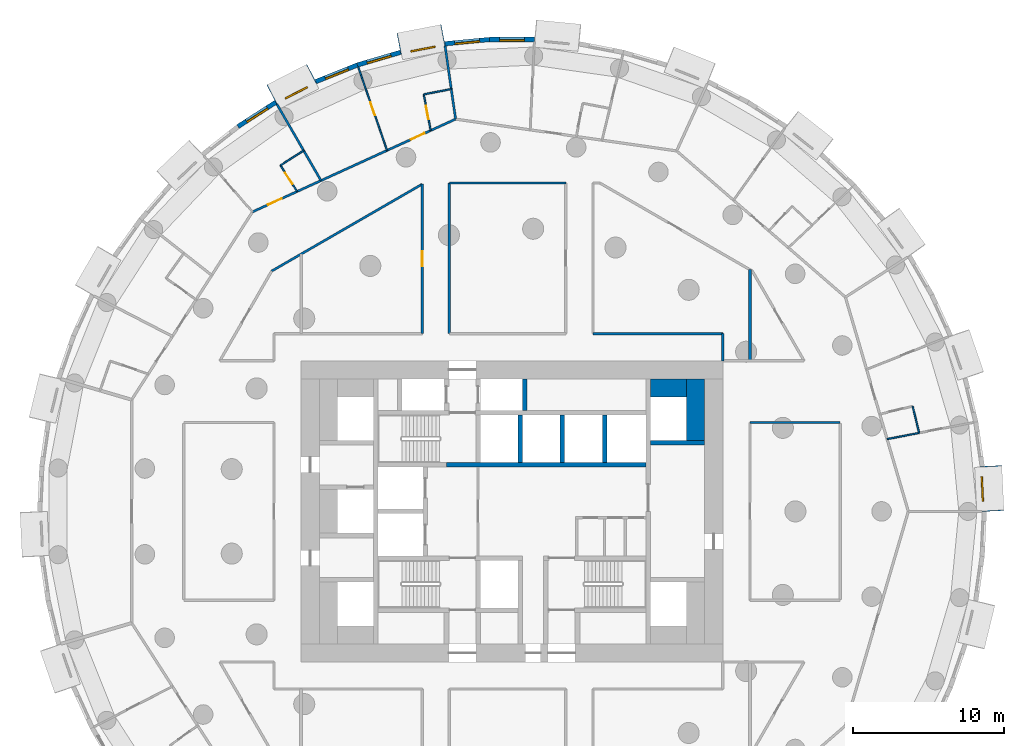
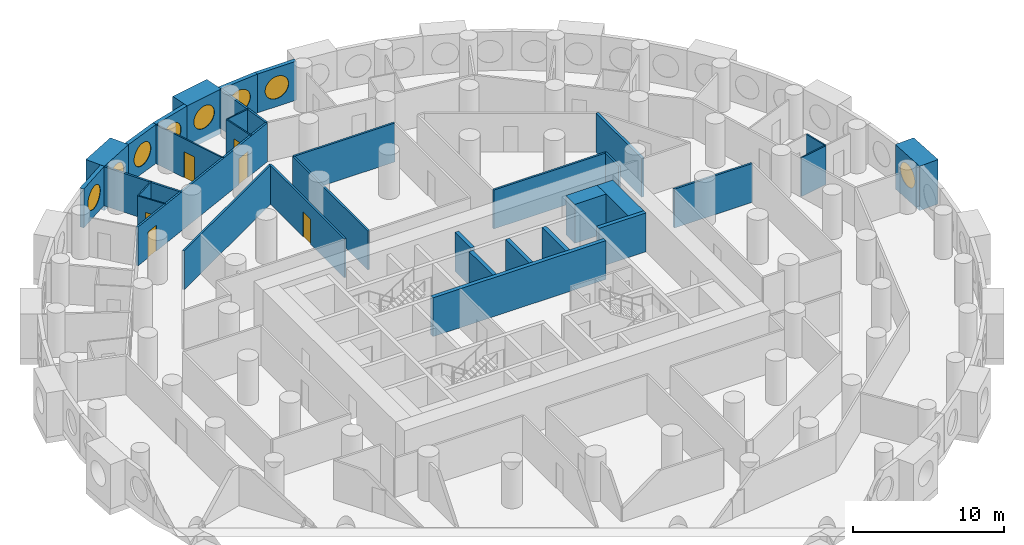
# One storey, part 8 of 12: 34 walls, 8 windows, 6 doors, 14 openings.
"""IFC4 building model written with IfcOpenShell, lengths in metres."""

import ifcopenshell
import ifcopenshell.guid

model = None  # the IFC model being written
_history = None  # IfcOwnerHistory: only IFC2X3 demands one
_inside = {}  # id of a spatial element -> (the spatial element, [elements in it])
_under = {}  # id of a project, library or spatial element -> (it, [spatial elements below it])
_declared = {}  # id of a project -> (the project, [libraries it declares])
_typed = {}  # id of a type object -> (the type object, [elements of that type])
_made_of = {}  # id of a material, layer set ... -> (it, [elements and type objects made of it])


def new_model(schema):
    """Start an empty IFC model of exactly this schema.

    Asked for "IFC4X3", IfcOpenShell would pick the latest addendum, in which some entities
    have other attributes; the version numbers below select the first issue.
    IFC2X3 requires an IfcOwnerHistory on every rooted entity: one is made here for all.
    """
    global model, _history
    if schema == "IFC4X3":
        model = ifcopenshell.file(schema_version=(4, 3, 0, 0))
    else:
        model = ifcopenshell.file(schema=schema)
    _inside.clear()
    _under.clear()
    _declared.clear()
    _typed.clear()
    _made_of.clear()
    _history = None
    if model.schema == "IFC2X3":
        org = make("IfcOrganization", Name="unknown")
        user = make(
            "IfcPersonAndOrganization",
            ThePerson=make("IfcPerson", FamilyName="unknown"),
            TheOrganization=org,
        )
        app = make(
            "IfcApplication",
            ApplicationDeveloper=org,
            Version="unknown",
            ApplicationFullName="unknown",
            ApplicationIdentifier="unknown",
        )
        _history = make(
            "IfcOwnerHistory",
            OwningUser=user,
            OwningApplication=app,
            ChangeAction="ADDED",
            CreationDate=0,
        )
    return model


def make(cls, **values):
    """One entity of the class cls with the attributes given. An attribute that is None is left unset."""
    return model.create_entity(
        cls, **{name: value for name, value in values.items() if value is not None}
    )


def rooted(cls, **values):
    """An entity with a GlobalId (a new one), such as an element, a storey or a relation."""
    return make(cls, GlobalId=ifcopenshell.guid.new(), OwnerHistory=_history, **values)


def si_unit(unit_type, name, prefix=None):
    """IfcSIUnit, for example si_unit("LENGTHUNIT", "METRE", prefix="MILLI")."""
    return make("IfcSIUnit", UnitType=unit_type, Prefix=prefix, Name=name)


def assignment(units):
    """IfcUnitAssignment: the units of a project."""
    return None if units is None else make("IfcUnitAssignment", Units=units)


def point(xyz):
    """IfcCartesianPoint."""
    return None if xyz is None else make("IfcCartesianPoint", Coordinates=xyz)


def direction(xyz):
    """IfcDirection."""
    return None if xyz is None else make("IfcDirection", DirectionRatios=xyz)


def frame(location, z_axis=None, x_axis=None):
    """IfcAxis2Placement3D, a coordinate frame: its origin and axes. An axis left out is left unset."""
    return make(
        "IfcAxis2Placement3D",
        Location=point(location),
        Axis=direction(z_axis),
        RefDirection=direction(x_axis),
    )


def frame_2d(location, x_axis=None):
    """IfcAxis2Placement2D, a coordinate frame in the plane: its origin and x axis."""
    return make(
        "IfcAxis2Placement2D", Location=point(location), RefDirection=direction(x_axis)
    )


def origin():
    """The frame at (0, 0, 0) with its axes left unset."""
    return frame((0.0, 0.0, 0.0))


def origin_2d():
    """The frame at (0, 0) in the plane with its x axis left unset."""
    return frame_2d((0.0, 0.0))


def place(relative_to, where):
    """IfcLocalPlacement: puts the frame where relative to a parent placement (None: the world)."""
    return make(
        "IfcLocalPlacement", PlacementRelTo=relative_to, RelativePlacement=where
    )


def context(
    kind, dimensions, precision=None, world=None, true_north=None, identifier=None
):
    """IfcGeometricRepresentationContext, for example the 3D "Model" context."""
    return make(
        "IfcGeometricRepresentationContext",
        ContextIdentifier=identifier,
        ContextType=kind,
        CoordinateSpaceDimension=dimensions,
        Precision=precision,
        WorldCoordinateSystem=world,
        TrueNorth=true_north,
    )


def subcontext(parent, identifier, kind, view, scale=None):
    """IfcGeometricRepresentationSubContext, for example "Body" below "Model"."""
    return make(
        "IfcGeometricRepresentationSubContext",
        ContextIdentifier=identifier,
        ContextType=kind,
        ParentContext=parent,
        TargetScale=scale,
        TargetView=view,
    )


def project(units=None, contexts=None):
    """IfcProject with its units and contexts."""
    return rooted(
        "IfcProject",
        Name="project",
        RepresentationContexts=contexts,
        UnitsInContext=assignment(units),
    )


def spatial(cls, under=None, at=None, **own):
    """A site, building, storey or space (cls), placed at a placement, below another one or the project."""
    s = rooted(cls, ObjectPlacement=at, **own)
    if under is not None:
        _under.setdefault(under.id(), (under, []))[1].append(s)
    return s


def profile(cls, at=None, kind="AREA", **sizes):
    """A parametric profile (cls). Its sizes go by their IFC names, for example OverallWidth=200.0."""
    return make(cls, ProfileType=kind, Position=at, **sizes)


def rectangle(**sizes):
    """IfcRectangleProfileDef."""
    return profile("IfcRectangleProfileDef", **sizes)


def circle(**sizes):
    """IfcCircleProfileDef."""
    return profile("IfcCircleProfileDef", **sizes)


def extrude(swept, where, along, depth):
    """IfcExtrudedAreaSolid: the profile swept, set in the frame where, extruded along a direction by depth."""
    return make(
        "IfcExtrudedAreaSolid",
        SweptArea=swept,
        Position=where,
        ExtrudedDirection=direction(along),
        Depth=depth,
    )


def shape(context_of_items, identifier, shape_type, items):
    """IfcShapeRepresentation: the items that make up one representation, for example the "Body"."""
    return make(
        "IfcShapeRepresentation",
        ContextOfItems=context_of_items,
        RepresentationIdentifier=identifier,
        RepresentationType=shape_type,
        Items=items,
    )


def material(Name=None, Category=None):
    """IfcMaterial."""
    return make("IfcMaterial", Name=Name, Category=Category)


def layer(
    of_material, thickness, ventilated=None, Name=None, Category=None, Priority=None
):
    """IfcMaterialLayer: one layer of a wall or slab, of a material (None: an air gap)."""
    return make(
        "IfcMaterialLayer",
        Material=of_material,
        LayerThickness=thickness,
        IsVentilated=ventilated,
        Name=Name,
        Category=Category,
        Priority=Priority,
    )


def layer_set(layers, Name=None):
    """IfcMaterialLayerSet."""
    return make("IfcMaterialLayerSet", MaterialLayers=layers, LayerSetName=Name)


def made_of(thing, what):
    """Note that an element or type object is made of a material, layer set ...; save() writes the relation."""
    if what is not None:
        _made_of.setdefault(what.id(), (what, []))[1].append(thing)
    return thing


def type_object(cls, material=None, **own):
    """A type object (cls), such as IfcWallType, which elements share."""
    return made_of(rooted(cls, **own), material)


def element(
    cls,
    number,
    at=None,
    inside=None,
    cuts=None,
    type_object=None,
    material=None,
    context=None,
    identifier="Body",
    shape_type=None,
    held_by="IfcProductDefinitionShape",
    body=None,
    shapes=None,
    **own,
):
    """One element of the class cls, such as IfcWall. Its Tag is "e" and its number.

    at: its placement. inside: the storey or other place that contains it. cuts: it is an
    opening in that element (IfcRelVoidsElement). A single representation is given by context,
    identifier, shape_type and body (its items); several are given by shapes. held_by: the class
    of the entity that holds the representations. save() writes the other relations.
    """
    e = rooted(cls, Tag="e%d" % number, ObjectPlacement=at, **own)
    if body is not None:
        shapes = [shape(context, identifier, shape_type, body)]
    if shapes is not None:
        e.Representation = make(held_by, Representations=shapes)
    if inside is not None:
        _inside.setdefault(inside.id(), (inside, []))[1].append(e)
    if cuts is not None:
        rooted(
            "IfcRelVoidsElement", RelatingBuildingElement=cuts, RelatedOpeningElement=e
        )
    if type_object is not None:
        _typed.setdefault(type_object.id(), (type_object, []))[1].append(e)
    return made_of(e, material)


def fill(opening, filler):
    """IfcRelFillsElement: the door or window that sits in an opening."""
    return rooted(
        "IfcRelFillsElement",
        RelatingOpeningElement=opening,
        RelatedBuildingElement=filler,
    )


def aggregate(whole, parts):
    """IfcRelAggregates: a whole, such as a stair, and the parts it consists of."""
    return rooted("IfcRelAggregates", RelatingObject=whole, RelatedObjects=parts)


def save(model, path):
    """Write the relations noted so far, then the file.

    IfcRelAggregates (storeys below a building ...), IfcRelContainedInSpatialStructure (elements
    in a storey), IfcRelDefinesByType, IfcRelAssociatesMaterial and IfcRelDeclares: one each for
    every whole, place, type object, material and project.
    """
    for whole, parts in _under.values():
        aggregate(whole, parts)
    for where, things in _inside.values():
        rooted(
            "IfcRelContainedInSpatialStructure",
            RelatedElements=things,
            RelatingStructure=where,
        )
    for kind, things in _typed.values():
        rooted("IfcRelDefinesByType", RelatedObjects=things, RelatingType=kind)
    for what, things in _made_of.values():
        rooted("IfcRelAssociatesMaterial", RelatedObjects=things, RelatingMaterial=what)
    for by, libraries in _declared.values():
        rooted("IfcRelDeclares", RelatingContext=by, RelatedDefinitions=libraries)
    model.write(path)


model = new_model("IFC4")

# Units and contexts
model_context = context("Model", 3, precision=1e-05, world=origin(), true_north=direction((0.0, 1.0)))
body_context = subcontext(model_context, "Body", "Model", "MODEL_VIEW")
ifc_project = project(units=[si_unit("LENGTHUNIT", "METRE"), si_unit("AREAUNIT", "SQUARE_METRE"), si_unit("VOLUMEUNIT", "CUBIC_METRE"), si_unit("PLANEANGLEUNIT", "RADIAN"), si_unit("MASSUNIT", "GRAM", prefix="KILO")], contexts=[model_context])

# Site, building, storey
site_placement = place(None, origin())
site = spatial("IfcSite", under=ifc_project, at=site_placement, CompositionType="ELEMENT")
building_placement = place(site_placement, origin())
building = spatial("IfcBuilding", under=site, at=building_placement, Name="Tracery Tower", CompositionType="ELEMENT")
storey_placement = place(building_placement, frame((0.0, 0.0, 82.199951171875)))
storey = spatial("IfcBuildingStorey", under=building, at=storey_placement, Name="L20", CompositionType="ELEMENT", Elevation=82.199951171875)

# Walls
ifc_material_1 = material(Name="Concrete C60/75", Category="concrete")
ifc_layer_1 = layer(ifc_material_1, 1.199951171875)
ifc_layer_set_1 = layer_set([ifc_layer_1], Name="Core strip wall 1200 C60")
wall_type_1 = type_object("IfcWallType", Name="Core strip wall 1200 C60", PredefinedType="SOLIDWALL", material=ifc_layer_set_1)
wall_1_placement = place(storey_placement, frame((12.199951171875, 4.699951171875, 0.0), z_axis=(0.0, 0.0, 1.0), x_axis=(0.0, 1.0, 0.0)))
element("IfcWall", 1, at=wall_1_placement, inside=storey, type_object=wall_type_1, Name="L20 wing strip +1 4.55", PredefinedType="SOLIDWALL", context=body_context, shape_type="SweptSolid", body=[
    extrude(rectangle(XDim=4.10009765625, YDim=1.199951171875, at=frame_2d((2.050048828125, 0.0))), origin(), (0.0, 0.0, 1.0), 3.150146484375),
])
wall_2_placement = place(storey_placement, frame((9.199951171875, 8.199951171875, 0.0), z_axis=(0.0, 0.0, 1.0), x_axis=(1.0, 0.0, 0.0)))
element("IfcWall", 2, at=wall_2_placement, inside=storey, type_object=wall_type_1, Name="L20 wing corner +1 +8.2", PredefinedType="SOLIDWALL", context=body_context, shape_type="SweptSolid", body=[
    extrude(rectangle(XDim=2.400146484375, YDim=1.199951171875, at=frame_2d((1.2001953125, 0.0))), origin(), (0.0, 0.0, 1.0), 3.150146484375),
])

# Wall, opening, window
ifc_material_2 = material(Name="Precast concrete C50/60", Category="concrete")
ifc_layer_2 = layer(ifc_material_2, 1.449951171875)
ifc_layer_set_2 = layer_set([ifc_layer_2], Name="Deep-set bay unit 3000 x 3600, slab edge 450")
wall_type_2 = type_object("IfcWallType", Name="Deep-set bay unit 3000 x 3600, slab edge 450", PredefinedType="ELEMENTEDWALL", material=ifc_layer_set_2)
wall_3_placement = place(storey_placement, frame((31.94921875, 0.020263671875, -0.449951171875), z_axis=(0.0, 0.0, 1.0), x_axis=(-0.047607680889, 0.998866111509, 0.0)))
wall_3 = element("IfcWall", 3, at=wall_3_placement, inside=storey, type_object=wall_type_2, Name="Deep-set bay unit 1 at L20", PredefinedType="ELEMENTEDWALL", context=body_context, shape_type="SweptSolid", body=[
    extrude(rectangle(XDim=3.0, YDim=1.449951171875, at=frame_2d((1.5, 0.0))), origin(), (0.0, 0.0, 1.0), 3.60009765625),
])
opening_1_placement = place(wall_3_placement, frame((1.5, 0.0, 2.0)))
opening_1 = element("IfcOpeningElement", 4, at=opening_1_placement, cuts=wall_3, Name="Opening WN1", PredefinedType="OPENING", context=body_context, shape_type="SweptSolid", body=[
    extrude(circle(Radius=0.9000244140625, at=origin_2d()), frame((0.0, 0.73486328125, 0.0), z_axis=(0.0, -1.0, 0.0), x_axis=(1.0, 0.0, 0.0)), (0.0, 0.0, 1.0), 1.469970703125),
])
ifc_material_3 = material(Name="Aluminium frame with tinted double glazing", Category="aluminium")
window_type = type_object("IfcWindowType", Name="Round window 1800", PartitioningType="SINGLE_PANEL", PredefinedType="WINDOW", material=ifc_material_3)
window_1_placement = place(opening_1_placement, origin())
window_1 = element("IfcWindow", 5, at=window_1_placement, inside=storey, type_object=window_type, Name="Round window 1 at L20", OverallHeight=1.800048828125, OverallWidth=1.800048828125, PartitioningType="SINGLE_PANEL", PredefinedType="WINDOW", context=body_context, shape_type="SweptSolid", body=[
    extrude(circle(Radius=0.9000244140625, at=origin_2d()), frame((0.0, 0.69482421875, 0.0), z_axis=(0.0, -1.0, 0.0), x_axis=(1.0, 0.0, 0.0)), (0.0, 0.0, 1.0), 0.10009765625),
])
fill(opening_1, window_1)

wall_4_placement = place(storey_placement, frame((-4.56689453125, 31.62109375, -0.449951171875), z_axis=(0.0, 0.0, 1.0), x_axis=(-0.981921602273, -0.189288052949, 0.0)))
wall_4 = element("IfcWall", 6, at=wall_4_placement, inside=storey, type_object=wall_type_2, Name="Deep-set bay unit 19 at L20", PredefinedType="ELEMENTEDWALL", context=body_context, shape_type="SweptSolid", body=[
    extrude(rectangle(XDim=3.0, YDim=1.449951171875, at=frame_2d((1.5, 0.0))), origin(), (0.0, 0.0, 1.0), 3.60009765625),
])
opening_2_placement = place(wall_4_placement, frame((1.5, 0.0, 2.0)))
opening_2 = element("IfcOpeningElement", 7, at=opening_2_placement, cuts=wall_4, Name="Opening WN1", PredefinedType="OPENING", context=body_context, shape_type="SweptSolid", body=[
    extrude(circle(Radius=0.9000244140625, at=origin_2d()), frame((0.0, 0.73486328125, 0.0), z_axis=(0.0, -1.0, 0.0), x_axis=(1.0, 0.0, 0.0)), (0.0, 0.0, 1.0), 1.469970703125),
])
window_2_placement = place(opening_2_placement, origin())
window_2 = element("IfcWindow", 8, at=window_2_placement, inside=storey, type_object=window_type, Name="Round window 19 at L20", OverallHeight=1.800048828125, OverallWidth=1.800048828125, PartitioningType="SINGLE_PANEL", PredefinedType="WINDOW", context=body_context, shape_type="SweptSolid", body=[
    extrude(circle(Radius=0.9000244140625, at=origin_2d()), frame((0.0, 0.69482421875, 0.0), z_axis=(0.0, -1.0, 0.0), x_axis=(1.0, 0.0, 0.0)), (0.0, 0.0, 1.0), 0.10009765625),
])
fill(opening_2, window_2)

wall_5_placement = place(storey_placement, frame((-13.29052734375, 29.053466796875, -0.449951171875), z_axis=(0.0, 0.0, 1.0), x_axis=(-0.888858064689, -0.458182650083, 0.0)))
wall_5 = element("IfcWall", 9, at=wall_5_placement, inside=storey, type_object=wall_type_2, Name="Deep-set bay unit 22 at L20", PredefinedType="ELEMENTEDWALL", context=body_context, shape_type="SweptSolid", body=[
    extrude(rectangle(XDim=3.0, YDim=1.449951171875, at=frame_2d((1.5, 0.0))), origin(), (0.0, 0.0, 1.0), 3.60009765625),
])
opening_3_placement = place(wall_5_placement, frame((1.5, 0.0, 2.0)))
opening_3 = element("IfcOpeningElement", 10, at=opening_3_placement, cuts=wall_5, Name="Opening WN1", PredefinedType="OPENING", context=body_context, shape_type="SweptSolid", body=[
    extrude(circle(Radius=0.9000244140625, at=origin_2d()), frame((0.0, 0.73486328125, 0.0), z_axis=(0.0, -1.0, 0.0), x_axis=(1.0, 0.0, 0.0)), (0.0, 0.0, 1.0), 1.469970703125),
])
window_3_placement = place(opening_3_placement, origin())
window_3 = element("IfcWindow", 11, at=window_3_placement, inside=storey, type_object=window_type, Name="Round window 22 at L20", OverallHeight=1.800048828125, OverallWidth=1.800048828125, PartitioningType="SINGLE_PANEL", PredefinedType="WINDOW", context=body_context, shape_type="SweptSolid", body=[
    extrude(circle(Radius=0.9000244140625, at=origin_2d()), frame((0.0, 0.69482421875, 0.0), z_axis=(0.0, -1.0, 0.0), x_axis=(1.0, 0.0, 0.0)), (0.0, 0.0, 1.0), 0.10009765625),
])
fill(opening_3, window_3)

ifc_material_4 = material(Name="Precast concrete C50/60", Category="concrete")
ifc_layer_3 = layer(ifc_material_4, 0.300048828125)
ifc_layer_set_3 = layer_set([ifc_layer_3], Name="Facade panel 3000 x 3150")
wall_type_3 = type_object("IfcWallType", Name="Facade panel 3000 x 3150", PredefinedType="SOLIDWALL", material=ifc_layer_set_3)
wall_6_placement = place(storey_placement, frame((1.48681640625, 31.3388671875, 0.0), z_axis=(0.0, 0.0, 1.0), x_axis=(-1.0, 0.0, 0.0)))
wall_6 = element("IfcWall", 12, at=wall_6_placement, inside=storey, type_object=wall_type_3, Name="Facade panel 17 at L20", PredefinedType="SOLIDWALL", context=body_context, shape_type="SweptSolid", body=[
    extrude(rectangle(XDim=2.979736328125, YDim=0.300048828125, at=frame_2d((1.48974609375, 0.0))), origin(), (0.0, 0.0, 1.0), 3.150146484375),
])
opening_4_placement = place(wall_6_placement, frame((1.48974609375, 0.0, 1.5498046875)))
opening_4 = element("IfcOpeningElement", 13, at=opening_4_placement, cuts=wall_6, Name="Opening WN1", PredefinedType="OPENING", context=body_context, shape_type="SweptSolid", body=[
    extrude(circle(Radius=0.9000244140625, at=origin_2d()), frame((0.0, 0.159912109375, 0.0), z_axis=(0.0, -1.0, 0.0), x_axis=(1.0, 0.0, 0.0)), (0.0, 0.0, 1.0), 0.320068359375),
])
window_4_placement = place(opening_4_placement, origin())
window_4 = element("IfcWindow", 14, at=window_4_placement, inside=storey, type_object=window_type, Name="Round window 17 at L20", OverallHeight=1.800048828125, OverallWidth=1.800048828125, PartitioningType="SINGLE_PANEL", PredefinedType="WINDOW", context=body_context, shape_type="SweptSolid", body=[
    extrude(circle(Radius=0.9000244140625, at=origin_2d()), frame((0.0, 0.1201171875, 0.0), z_axis=(0.0, -1.0, 0.0), x_axis=(1.0, 0.0, 0.0)), (0.0, 0.0, 1.0), 0.10009765625),
])
fill(opening_4, window_4)

wall_7_placement = place(storey_placement, frame((-1.492919921875, 31.3388671875, 0.0), z_axis=(0.0, 0.0, 1.0), x_axis=(-0.995472611385, -0.095048829468, 0.0)))
wall_7 = element("IfcWall", 15, at=wall_7_placement, inside=storey, type_object=wall_type_3, Name="Facade panel 18 at L20", PredefinedType="SOLIDWALL", context=body_context, shape_type="SweptSolid", body=[
    extrude(rectangle(XDim=2.9794921875, YDim=0.300048828125, at=frame_2d((1.48974609375, 0.0))), origin(), (0.0, 0.0, 1.0), 3.150146484375),
])
opening_5_placement = place(wall_7_placement, frame((1.48974609375, 0.0, 1.5498046875)))
opening_5 = element("IfcOpeningElement", 16, at=opening_5_placement, cuts=wall_7, Name="Opening WN1", PredefinedType="OPENING", context=body_context, shape_type="SweptSolid", body=[
    extrude(circle(Radius=0.9000244140625, at=origin_2d()), frame((0.0, 0.159912109375, 0.0), z_axis=(0.0, -1.0, 0.0), x_axis=(1.0, 0.0, 0.0)), (0.0, 0.0, 1.0), 0.320068359375),
])
window_5_placement = place(opening_5_placement, origin())
window_5 = element("IfcWindow", 17, at=window_5_placement, inside=storey, type_object=window_type, Name="Round window 18 at L20", OverallHeight=1.800048828125, OverallWidth=1.800048828125, PartitioningType="SINGLE_PANEL", PredefinedType="WINDOW", context=body_context, shape_type="SweptSolid", body=[
    extrude(circle(Radius=0.9000244140625, at=origin_2d()), frame((0.0, 0.1201171875, 0.0), z_axis=(0.0, -1.0, 0.0), x_axis=(1.0, 0.0, 0.0)), (0.0, 0.0, 1.0), 0.10009765625),
])
fill(opening_5, window_5)

wall_8_placement = place(storey_placement, frame((-7.402587890625, 30.48828125, 0.0), z_axis=(0.0, 0.0, 1.0), x_axis=(-0.959501085144, -0.281704930036, 0.0)))
wall_8 = element("IfcWall", 18, at=wall_8_placement, inside=storey, type_object=wall_type_3, Name="Facade panel 20 at L20", PredefinedType="SOLIDWALL", context=body_context, shape_type="SweptSolid", body=[
    extrude(rectangle(XDim=2.9794921875, YDim=0.300048828125, at=frame_2d((1.48974609375, 0.0))), origin(), (0.0, 0.0, 1.0), 3.150146484375),
])
opening_6_placement = place(wall_8_placement, frame((1.48974609375, 0.0, 1.5498046875)))
opening_6 = element("IfcOpeningElement", 19, at=opening_6_placement, cuts=wall_8, Name="Opening WN1", PredefinedType="OPENING", context=body_context, shape_type="SweptSolid", body=[
    extrude(circle(Radius=0.9000244140625, at=origin_2d()), frame((0.0, 0.159912109375, 0.0), z_axis=(0.0, -1.0, 0.0), x_axis=(1.0, 0.0, 0.0)), (0.0, 0.0, 1.0), 0.320068359375),
])
window_6_placement = place(opening_6_placement, origin())
window_6 = element("IfcWindow", 20, at=window_6_placement, inside=storey, type_object=window_type, Name="Round window 20 at L20", OverallHeight=1.800048828125, OverallWidth=1.800048828125, PartitioningType="SINGLE_PANEL", PredefinedType="WINDOW", context=body_context, shape_type="SweptSolid", body=[
    extrude(circle(Radius=0.9000244140625, at=origin_2d()), frame((0.0, 0.1201171875, 0.0), z_axis=(0.0, -1.0, 0.0), x_axis=(1.0, 0.0, 0.0)), (0.0, 0.0, 1.0), 0.10009765625),
])
fill(opening_6, window_6)

wall_9_placement = place(storey_placement, frame((-10.261474609375, 29.64892578125, 0.0), z_axis=(0.0, 0.0, 1.0), x_axis=(-0.928374947, -0.371644935098, 0.0)))
wall_9 = element("IfcWall", 21, at=wall_9_placement, inside=storey, type_object=wall_type_3, Name="Facade panel 21 at L20", PredefinedType="SOLIDWALL", context=body_context, shape_type="SweptSolid", body=[
    extrude(rectangle(XDim=2.979736328125, YDim=0.300048828125, at=frame_2d((1.48974609375, 0.0))), origin(), (0.0, 0.0, 1.0), 3.150146484375),
])
opening_7_placement = place(wall_9_placement, frame((1.48974609375, 0.0, 1.5498046875)))
opening_7 = element("IfcOpeningElement", 22, at=opening_7_placement, cuts=wall_9, Name="Opening WN1", PredefinedType="OPENING", context=body_context, shape_type="SweptSolid", body=[
    extrude(circle(Radius=0.9000244140625, at=origin_2d()), frame((0.0, 0.159912109375, 0.0), z_axis=(0.0, -1.0, 0.0), x_axis=(1.0, 0.0, 0.0)), (0.0, 0.0, 1.0), 0.320068359375),
])
window_7_placement = place(opening_7_placement, origin())
window_7 = element("IfcWindow", 23, at=window_7_placement, inside=storey, type_object=window_type, Name="Round window 21 at L20", OverallHeight=1.800048828125, OverallWidth=1.800048828125, PartitioningType="SINGLE_PANEL", PredefinedType="WINDOW", context=body_context, shape_type="SweptSolid", body=[
    extrude(circle(Radius=0.9000244140625, at=origin_2d()), frame((0.0, 0.1201171875, 0.0), z_axis=(0.0, -1.0, 0.0), x_axis=(1.0, 0.0, 0.0)), (0.0, 0.0, 1.0), 0.10009765625),
])
fill(opening_7, window_7)

wall_10_placement = place(storey_placement, frame((-15.6923828125, 27.167724609375, 0.0), z_axis=(0.0, 0.0, 1.0), x_axis=(-0.841260995538, -0.54062920508, 0.0)))
wall_10 = element("IfcWall", 24, at=wall_10_placement, inside=storey, type_object=wall_type_3, Name="Facade panel 23 at L20", PredefinedType="SOLIDWALL", context=body_context, shape_type="SweptSolid", body=[
    extrude(rectangle(XDim=2.9794921875, YDim=0.300048828125, at=frame_2d((1.48974609375, 0.0))), origin(), (0.0, 0.0, 1.0), 3.150146484375),
])
opening_8_placement = place(wall_10_placement, frame((1.48974609375, 0.0, 1.5498046875)))
opening_8 = element("IfcOpeningElement", 25, at=opening_8_placement, cuts=wall_10, Name="Opening WN1", PredefinedType="OPENING", context=body_context, shape_type="SweptSolid", body=[
    extrude(circle(Radius=0.9000244140625, at=origin_2d()), frame((0.0, 0.159912109375, 0.0), z_axis=(0.0, -1.0, 0.0), x_axis=(1.0, 0.0, 0.0)), (0.0, 0.0, 1.0), 0.320068359375),
])
window_8_placement = place(opening_8_placement, origin())
window_8 = element("IfcWindow", 26, at=window_8_placement, inside=storey, type_object=window_type, Name="Round window 23 at L20", OverallHeight=1.800048828125, OverallWidth=1.800048828125, PartitioningType="SINGLE_PANEL", PredefinedType="WINDOW", context=body_context, shape_type="SweptSolid", body=[
    extrude(circle(Radius=0.9000244140625, at=origin_2d()), frame((0.0, 0.1201171875, 0.0), z_axis=(0.0, -1.0, 0.0), x_axis=(1.0, 0.0, 0.0)), (0.0, 0.0, 1.0), 0.10009765625),
])
fill(opening_8, window_8)

# Wall, opening, door
ifc_material_5 = material(Name="Plasterboard on steel studs", Category="steel")
ifc_layer_4 = layer(ifc_material_5, 0.10009765625)
ifc_layer_set_4 = layer_set([ifc_layer_4], Name="Partition 100 stud")
wall_type_4 = type_object("IfcWallType", Name="Partition 100 stud", PredefinedType="PARTITIONING", material=ifc_layer_set_4)
wall_11_placement = place(storey_placement, frame((-10.2119140625, 29.507080078125, 0.0), z_axis=(0.0, 0.0, 1.0), x_axis=(0.32692444056, -0.94505048022, 0.0)))
wall_11 = element("IfcWall", 27, at=wall_11_placement, inside=storey, type_object=wall_type_4, Name="Stud partition RA6-077", PredefinedType="PARTITIONING", context=body_context, shape_type="SweptSolid", body=[
    extrude(rectangle(XDim=5.85693359375, YDim=0.10009765625, at=frame_2d((2.928466796875, 0.0))), origin(), (0.0, 0.0, 1.0), 3.150146484375),
])
opening_9_placement = place(wall_11_placement, frame((2.47900390625, 0.0, 0.0)))
opening_9 = element("IfcOpeningElement", 28, at=opening_9_placement, cuts=wall_11, Name="Opening RA6-25", PredefinedType="OPENING", context=body_context, shape_type="SweptSolid", body=[
    extrude(rectangle(XDim=0.89990234375, YDim=2.10009765625, at=frame_2d((0.449951171875, 1.050048828125))), frame((0.0, 0.050048828125, 0.0), z_axis=(0.0, -1.0, 0.0), x_axis=(1.0, 0.0, 0.0)), (0.0, 0.0, 1.0), 0.10009765625),
])
ifc_material_6 = material(Name="Timber door leaf", Category="wood")
door_type_1 = type_object("IfcDoorType", Name="Door bedroom 900", OperationType="NOTDEFINED", PredefinedType="DOOR", material=ifc_material_6)
door_1_placement = place(opening_9_placement, origin())
door_1 = element("IfcDoor", 29, at=door_1_placement, inside=storey, type_object=door_type_1, Name="Bedroom door RA6-25", OperationType="SINGLE_SWING_LEFT", OverallHeight=2.10009765625, OverallWidth=0.89990234375, PredefinedType="DOOR", context=body_context, shape_type="SweptSolid", body=[
    extrude(rectangle(XDim=0.89990234375, YDim=2.10009765625, at=frame_2d((0.449951171875, 1.050048828125))), frame((0.0, 0.02490234375, 0.0), z_axis=(0.0, -1.0, 0.0), x_axis=(1.0, 0.0, 0.0)), (0.0, 0.0, 1.0), 0.050048828125),
])
fill(opening_9, door_1)

# Walls
ifc_material_7 = material(Name="Plasterboard on steel studs", Category="steel")
ifc_layer_5 = layer(ifc_material_7, 0.10009765625)
ifc_layer_set_5 = layer_set([ifc_layer_5], Name="Partition 100 wet wall")
wall_type_5 = type_object("IfcWallType", Name="Partition 100 wet wall", PredefinedType="PARTITIONING", material=ifc_layer_set_5)
wall_12_placement = place(storey_placement, frame((26.60791015625, 6.98388671875, 0.0), z_axis=(0.0, 0.0, 1.0), x_axis=(0.235791524639, -0.971803661708, 0.0)))
element("IfcWall", 30, at=wall_12_placement, inside=storey, type_object=wall_type_5, Name="Wet wall RA6-060", PredefinedType="PARTITIONING", context=body_context, shape_type="SweptSolid", body=[
    extrude(rectangle(XDim=1.824462890625, YDim=0.10009765625, at=frame_2d((0.912109375, 0.0))), origin(), (0.0, 0.0, 1.0), 3.150146484375),
])
wall_13_placement = place(storey_placement, frame((24.908935546875, 4.801025390625, 0.0), z_axis=(0.0, 0.0, 1.0), x_axis=(0.981947880287, 0.189151686222, 0.0)))
element("IfcWall", 31, at=wall_13_placement, inside=storey, type_object=wall_type_5, Name="Wet wall RA6-062", PredefinedType="PARTITIONING", context=body_context, shape_type="SweptSolid", body=[
    extrude(rectangle(XDim=2.17236328125, YDim=0.10009765625, at=frame_2d((1.086181640625, 0.0))), origin(), (0.0, 0.0, 1.0), 3.150146484375),
])
wall_14_placement = place(storey_placement, frame((-5.861083984375, 27.694091796875, 0.0), z_axis=(0.0, 0.0, 1.0), x_axis=(0.981879093558, 0.189508431565, 0.0)))
element("IfcWall", 32, at=wall_14_placement, inside=storey, type_object=wall_type_5, Name="Wet wall RA6-078", PredefinedType="PARTITIONING", context=body_context, shape_type="SweptSolid", body=[
    extrude(rectangle(XDim=1.86279296875, YDim=0.10009765625, at=frame_2d((0.931396484375, 0.0))), origin(), (0.0, 0.0, 1.0), 3.150146484375),
])

# Wall, opening, door
wall_15_placement = place(storey_placement, frame((-5.861083984375, 27.694091796875, 0.0), z_axis=(0.0, 0.0, 1.0), x_axis=(0.189229262293, -0.981932933704, 0.0)))
wall_15 = element("IfcWall", 33, at=wall_15_placement, inside=storey, type_object=wall_type_5, Name="Wet wall RA6-079", PredefinedType="PARTITIONING", context=body_context, shape_type="SweptSolid", body=[
    extrude(rectangle(XDim=2.4423828125, YDim=0.10009765625, at=frame_2d((1.22119140625, 0.0))), origin(), (0.0, 0.0, 1.0), 3.150146484375),
])
opening_10_placement = place(wall_15_placement, frame((0.77099609375, 0.0, 0.0)))
opening_10 = element("IfcOpeningElement", 34, at=opening_10_placement, cuts=wall_15, Name="Opening RA6-26", PredefinedType="OPENING", context=body_context, shape_type="SweptSolid", body=[
    extrude(rectangle(XDim=0.89990234375, YDim=2.0, at=frame_2d((0.449951171875, 1.0))), frame((0.0, 0.050048828125, 0.0), z_axis=(0.0, -1.0, 0.0), x_axis=(1.0, 0.0, 0.0)), (0.0, 0.0, 1.0), 0.10009765625),
])
ifc_material_8 = material(Name="Timber door leaf", Category="wood")
door_type_2 = type_object("IfcDoorType", Name="Door shower room 900", OperationType="NOTDEFINED", PredefinedType="DOOR", material=ifc_material_8)
door_2_placement = place(opening_10_placement, origin())
door_2 = element("IfcDoor", 35, at=door_2_placement, inside=storey, type_object=door_type_2, Name="Shower room door RA6-26", OperationType="SINGLE_SWING_LEFT", OverallHeight=2.0, OverallWidth=0.89990234375, PredefinedType="DOOR", context=body_context, shape_type="SweptSolid", body=[
    extrude(rectangle(XDim=0.89990234375, YDim=2.0, at=frame_2d((0.449951171875, 1.0))), frame((0.0, 0.02490234375, 0.0), z_axis=(0.0, -1.0, 0.0), x_axis=(1.0, 0.0, 0.0)), (0.0, 0.0, 1.0), 0.050048828125),
])
fill(opening_10, door_2)

# Wall
wall_16_placement = place(storey_placement, frame((-15.376953125, 22.97607421875, 0.0), z_axis=(0.0, 0.0, 1.0), x_axis=(0.84118714077, 0.540744111576, 0.0)))
element("IfcWall", 36, at=wall_16_placement, inside=storey, type_object=wall_type_5, Name="Wet wall RA6-082", PredefinedType="PARTITIONING", context=body_context, shape_type="SweptSolid", body=[
    extrude(rectangle(XDim=1.830810546875, YDim=0.10009765625, at=frame_2d((0.91552734375, 0.0))), origin(), (0.0, 0.0, 1.0), 3.150146484375),
])

# Wall, opening, door
wall_17_placement = place(storey_placement, frame((-15.376953125, 22.97607421875, 0.0), z_axis=(0.0, 0.0, 1.0), x_axis=(0.54031338164, -0.841463873033, 0.0)))
wall_17 = element("IfcWall", 37, at=wall_17_placement, inside=storey, type_object=wall_type_5, Name="Wet wall RA6-083", PredefinedType="PARTITIONING", context=body_context, shape_type="SweptSolid", body=[
    extrude(rectangle(XDim=2.055908203125, YDim=0.10009765625, at=frame_2d((1.02783203125, 0.0))), origin(), (0.0, 0.0, 1.0), 3.150146484375),
])
opening_11_placement = place(wall_17_placement, frame((0.577880859375, 0.0, 0.0)))
opening_11 = element("IfcOpeningElement", 38, at=opening_11_placement, cuts=wall_17, Name="Opening RA6-29", PredefinedType="OPENING", context=body_context, shape_type="SweptSolid", body=[
    extrude(rectangle(XDim=0.89990234375, YDim=2.0, at=frame_2d((0.449951171875, 1.0))), frame((0.0, 0.050048828125, 0.0), z_axis=(0.0, -1.0, 0.0), x_axis=(1.0, 0.0, 0.0)), (0.0, 0.0, 1.0), 0.10009765625),
])
door_3_placement = place(opening_11_placement, origin())
door_3 = element("IfcDoor", 39, at=door_3_placement, inside=storey, type_object=door_type_2, Name="Shower room door RA6-29", OperationType="SINGLE_SWING_LEFT", OverallHeight=2.0, OverallWidth=0.89990234375, PredefinedType="DOOR", context=body_context, shape_type="SweptSolid", body=[
    extrude(rectangle(XDim=0.89990234375, YDim=2.0, at=frame_2d((0.449951171875, 1.0))), frame((0.0, 0.02490234375, 0.0), z_axis=(0.0, -1.0, 0.0), x_axis=(1.0, 0.0, 0.0)), (0.0, 0.0, 1.0), 0.050048828125),
])
fill(opening_11, door_3)

# Walls
ifc_material_9 = material(Name="Plasterboard on steel studs", Category="steel")
ifc_layer_6 = layer(ifc_material_9, 0.14990234375)
ifc_layer_set_6 = layer_set([ifc_layer_6], Name="Partition 150 acoustic unit wall")
wall_type_6 = type_object("IfcWallType", Name="Partition 150 acoustic unit wall", PredefinedType="PARTITIONING", material=ifc_layer_set_6)
wall_18_placement = place(storey_placement, frame((-4.444091796875, 30.906005859375, 0.0), z_axis=(0.0, 0.0, 1.0), x_axis=(0.142452592463, -0.989801626035, 0.0)))
element("IfcWall", 40, at=wall_18_placement, inside=storey, type_object=wall_type_6, Name="Unit wall RA6-076", PredefinedType="PARTITIONING", context=body_context, shape_type="SweptSolid", body=[
    extrude(rectangle(XDim=4.905029296875, YDim=0.14990234375, at=frame_2d((2.45263671875, 0.0))), origin(), (0.0, 0.0, 1.0), 3.150146484375),
])
wall_19_placement = place(storey_placement, frame((-15.612060546875, 27.041015625, 0.0), z_axis=(0.0, 0.0, 1.0), x_axis=(0.499985873194, -0.866033559746, 0.0)))
element("IfcWall", 41, at=wall_19_placement, inside=storey, type_object=wall_type_6, Name="Unit wall RA6-080", PredefinedType="PARTITIONING", context=body_context, shape_type="SweptSolid", body=[
    extrude(rectangle(XDim=5.856689453125, YDim=0.14990234375, at=frame_2d((2.92822265625, 0.0))), origin(), (0.0, 0.0, 1.0), 3.150146484375),
])
ifc_material_10 = material(Name="Plasterboard on steel studs", Category="steel")
ifc_layer_7 = layer(ifc_material_10, 0.14990234375)
ifc_layer_set_7 = layer_set([ifc_layer_7], Name="Partition 150 corridor wall")
wall_type_7 = type_object("IfcWallType", Name="Partition 150 corridor wall", PredefinedType="PARTITIONING", material=ifc_layer_set_7)
wall_20_placement = place(storey_placement, frame((5.3720703125, 11.800048828125, 0.0), z_axis=(0.0, 0.0, 1.0), x_axis=(1.0, 0.0, 0.0)))
element("IfcWall", 42, at=wall_20_placement, inside=storey, type_object=wall_type_7, Name="Corridor wall RA6-003", PredefinedType="PARTITIONING", context=body_context, shape_type="SweptSolid", body=[
    extrude(rectangle(XDim=8.6279296875, YDim=0.14990234375, at=frame_2d((4.31396484375, 0.0))), origin(), (0.0, 0.0, 1.0), 3.150146484375),
])
wall_21_placement = place(storey_placement, frame((14.0, 10.0, 0.0), z_axis=(0.0, 0.0, 1.0), x_axis=(0.0, 1.0, 0.0)))
element("IfcWall", 43, at=wall_21_placement, inside=storey, type_object=wall_type_7, Name="Corridor wall RA6-004", PredefinedType="PARTITIONING", context=body_context, shape_type="SweptSolid", body=[
    extrude(rectangle(XDim=1.800048828125, YDim=0.14990234375, at=frame_2d((0.89990234375, 0.0))), origin(), (0.0, 0.0, 1.0), 3.150146484375),
])
wall_22_placement = place(storey_placement, frame((15.800048828125, 5.89990234375, 0.0), z_axis=(0.0, 0.0, 1.0), x_axis=(1.0, 0.0, 0.0)))
element("IfcWall", 44, at=wall_22_placement, inside=storey, type_object=wall_type_7, Name="Corridor wall RA6-017", PredefinedType="PARTITIONING", context=body_context, shape_type="SweptSolid", body=[
    extrude(rectangle(XDim=5.968017578125, YDim=0.14990234375, at=frame_2d((2.98388671875, 0.0))), origin(), (0.0, 0.0, 1.0), 3.150146484375),
])

# Wall, opening, door
wall_23_placement = place(storey_placement, frame((-5.9599609375, 11.800048828125, 0.0), z_axis=(0.0, 0.0, 1.0), x_axis=(0.0, 1.0, 0.0)))
wall_23 = element("IfcWall", 45, at=wall_23_placement, inside=storey, type_object=wall_type_7, Name="Corridor wall RA6-024", PredefinedType="PARTITIONING", context=body_context, shape_type="SweptSolid", body=[
    extrude(rectangle(XDim=9.933837890625, YDim=0.14990234375, at=frame_2d((4.966796875, 0.0))), origin(), (0.0, 0.0, 1.0), 3.150146484375),
])
opening_12_placement = place(wall_23_placement, frame((4.467041015625, 0.0, 0.0)))
opening_12 = element("IfcOpeningElement", 46, at=opening_12_placement, cuts=wall_23, Name="Opening RA6-01", PredefinedType="OPENING", context=body_context, shape_type="SweptSolid", body=[
    extrude(rectangle(XDim=1.0, YDim=2.0400390625, at=frame_2d((0.5, 1.02001953125))), frame((0.0, 0.074951171875, 0.0), z_axis=(0.0, -1.0, 0.0), x_axis=(1.0, 0.0, 0.0)), (0.0, 0.0, 1.0), 0.14990234375),
])
ifc_material_11 = material(Name="Timber door leaf", Category="wood")
door_type_3 = type_object("IfcDoorType", Name="Door communal room 1000", OperationType="NOTDEFINED", PredefinedType="DOOR", material=ifc_material_11)
door_4_placement = place(opening_12_placement, origin())
door_4 = element("IfcDoor", 47, at=door_4_placement, inside=storey, type_object=door_type_3, Name="Communal room door RA6-01", OperationType="SINGLE_SWING_LEFT", OverallHeight=2.0400390625, OverallWidth=1.0, PredefinedType="DOOR", context=body_context, shape_type="SweptSolid", body=[
    extrude(rectangle(XDim=1.0, YDim=2.0400390625, at=frame_2d((0.5, 1.02001953125))), frame((0.0, 0.02490234375, 0.0), z_axis=(0.0, -1.0, 0.0), x_axis=(1.0, 0.0, 0.0)), (0.0, 0.0, 1.0), 0.050048828125),
])
fill(opening_12, door_4)

# Walls
wall_24_placement = place(storey_placement, frame((-15.960205078125, 15.960205078125, 0.0), z_axis=(0.0, 0.0, 1.0), x_axis=(0.86602397904, 0.500002467721, 0.0)))
element("IfcWall", 48, at=wall_24_placement, inside=storey, type_object=wall_type_7, Name="Corridor wall RA6-025", PredefinedType="PARTITIONING", context=body_context, shape_type="SweptSolid", body=[
    extrude(rectangle(XDim=11.54736328125, YDim=0.14990234375, at=frame_2d((5.773681640625, 0.0))), origin(), (0.0, 0.0, 1.0), 3.150146484375),
])
wall_25_placement = place(storey_placement, frame((-4.159912109375, 21.802001953125, 0.0), z_axis=(0.0, 0.0, 1.0), x_axis=(1.0, 0.0, 0.0)))
element("IfcWall", 49, at=wall_25_placement, inside=storey, type_object=wall_type_7, Name="Corridor wall RA6-027", PredefinedType="PARTITIONING", context=body_context, shape_type="SweptSolid", body=[
    extrude(rectangle(XDim=7.73583984375, YDim=0.14990234375, at=frame_2d((3.867919921875, 0.0))), origin(), (0.0, 0.0, 1.0), 3.150146484375),
])
wall_26_placement = place(storey_placement, frame((-4.159912109375, 11.800048828125, 0.0), z_axis=(0.0, 0.0, 1.0), x_axis=(0.0, 1.0, 0.0)))
element("IfcWall", 50, at=wall_26_placement, inside=storey, type_object=wall_type_7, Name="Corridor wall RA6-028", PredefinedType="PARTITIONING", context=body_context, shape_type="SweptSolid", body=[
    extrude(rectangle(XDim=10.001953125, YDim=0.14990234375, at=frame_2d((5.0009765625, 0.0))), origin(), (0.0, 0.0, 1.0), 3.150146484375),
])

# Wall, openings, doors
wall_27_placement = place(storey_placement, frame((-17.235595703125, 19.89111328125, 0.0), z_axis=(0.0, 0.0, 1.0), x_axis=(0.909645678785, 0.415385049163, 0.0)))
wall_27 = element("IfcWall", 51, at=wall_27_placement, inside=storey, type_object=wall_type_7, Name="Corridor wall RA6-033", PredefinedType="PARTITIONING", context=body_context, shape_type="SweptSolid", body=[
    extrude(rectangle(XDim=14.829345703125, YDim=0.14990234375, at=frame_2d((7.41455078125, 0.0))), origin(), (0.0, 0.0, 1.0), 3.150146484375),
])
opening_13_placement = place(wall_27_placement, frame((11.569091796875, 0.0, 0.0)))
opening_13 = element("IfcOpeningElement", 52, at=opening_13_placement, cuts=wall_27, Name="Opening RA6-27", PredefinedType="OPENING", context=body_context, shape_type="SweptSolid", body=[
    extrude(rectangle(XDim=1.0, YDim=2.10009765625, at=frame_2d((0.5, 1.050048828125))), frame((0.0, 0.074951171875, 0.0), z_axis=(0.0, -1.0, 0.0), x_axis=(1.0, 0.0, 0.0)), (0.0, 0.0, 1.0), 0.14990234375),
])
opening_14_placement = place(wall_27_placement, frame((1.134033203125, 0.0, 0.0)))
opening_14 = element("IfcOpeningElement", 53, at=opening_14_placement, cuts=wall_27, Name="Opening RA6-30", PredefinedType="OPENING", context=body_context, shape_type="SweptSolid", body=[
    extrude(rectangle(XDim=1.0, YDim=2.10009765625, at=frame_2d((0.5, 1.050048828125))), frame((0.0, 0.074951171875, 0.0), z_axis=(0.0, -1.0, 0.0), x_axis=(1.0, 0.0, 0.0)), (0.0, 0.0, 1.0), 0.14990234375),
])
ifc_material_12 = material(Name="Timber door leaf", Category="wood")
door_type_4 = type_object("IfcDoorType", Name="Door unit entrance 1000", OperationType="NOTDEFINED", PredefinedType="DOOR", material=ifc_material_12)
door_5_placement = place(opening_13_placement, origin())
door_5 = element("IfcDoor", 54, at=door_5_placement, inside=storey, type_object=door_type_4, Name="Unit entrance door RA6-27", OperationType="SINGLE_SWING_RIGHT", OverallHeight=2.10009765625, OverallWidth=1.0, PredefinedType="DOOR", context=body_context, shape_type="SweptSolid", body=[
    extrude(rectangle(XDim=1.0, YDim=2.10009765625, at=frame_2d((0.5, 1.050048828125))), frame((0.0, 0.02490234375, 0.0), z_axis=(0.0, -1.0, 0.0), x_axis=(1.0, 0.0, 0.0)), (0.0, 0.0, 1.0), 0.050048828125),
])
fill(opening_13, door_5)
door_6_placement = place(opening_14_placement, origin())
door_6 = element("IfcDoor", 55, at=door_6_placement, inside=storey, type_object=door_type_4, Name="Unit entrance door RA6-30", OperationType="SINGLE_SWING_RIGHT", OverallHeight=2.10009765625, OverallWidth=1.0, PredefinedType="DOOR", context=body_context, shape_type="SweptSolid", body=[
    extrude(rectangle(XDim=1.0, YDim=2.10009765625, at=frame_2d((0.5, 1.050048828125))), frame((0.0, 0.02490234375, 0.0), z_axis=(0.0, -1.0, 0.0), x_axis=(1.0, 0.0, 0.0)), (0.0, 0.0, 1.0), 0.050048828125),
])
fill(opening_14, door_6)

# Walls
ifc_material_13 = material(Name="Plasterboard on steel studs", Category="steel")
ifc_layer_8 = layer(ifc_material_13, 0.199951171875)
ifc_layer_set_8 = layer_set([ifc_layer_8], Name="Partition 200 compartment wall")
wall_type_8 = type_object("IfcWallType", Name="Partition 200 compartment wall", PredefinedType="PARTITIONING", material=ifc_layer_set_8)
wall_28_placement = place(storey_placement, frame((15.800048828125, 10.0, 0.0), z_axis=(0.0, 0.0, 1.0), x_axis=(0.0, 1.0, 0.0)))
element("IfcWall", 56, at=wall_28_placement, inside=storey, type_object=wall_type_8, Name="Compartment wall RA6-055", PredefinedType="PARTITIONING", context=body_context, shape_type="SweptSolid", body=[
    extrude(rectangle(XDim=6.052978515625, YDim=0.199951171875, at=frame_2d((3.0263671875, 0.0))), origin(), (0.0, 0.0, 1.0), 3.150146484375),
])
ifc_material_14 = material(Name="Concrete C60/75", Category="concrete")
ifc_layer_9 = layer(ifc_material_14, 0.300048828125)
ifc_layer_set_9 = layer_set([ifc_layer_9], Name="Shaft wall 300 C60")
wall_type_9 = type_object("IfcWallType", Name="Shaft wall 300 C60", PredefinedType="SOLIDWALL", material=ifc_layer_set_9)
for number, where, z_axis, x_axis, name in (
    (57, (0.550048828125, 3.25, 0.0), (0.0, 0.0, 1.0), (0.0, 1.0, 0.0), "L20 HR sep 1"),
    (58, (3.35009765625, 3.25, 0.0), (0.0, 0.0, 1.0), (0.0, 1.0, 0.0), "L20 HR sep 2"),
    (59, (6.14990234375, 3.25, 0.0), (0.0, 0.0, 1.0), (0.0, 1.0, 0.0), "L20 HR sep 3"),
):
    element("IfcWall", number, at=place(storey_placement, frame(where, z_axis=z_axis, x_axis=x_axis)), inside=storey, type_object=wall_type_9, Name=name, PredefinedType="SOLIDWALL", context=body_context, shape_type="SweptSolid", body=[
        extrude(rectangle(XDim=3.14990234375, YDim=0.300048828125, at=frame_2d((1.574951171875, 0.0))), origin(), (0.0, 0.0, 1.0), 3.150146484375),
    ])
wall_29_placement = place(storey_placement, frame((0.85009765625, 6.699951171875, 0.0), z_axis=(0.0, 0.0, 1.0), x_axis=(0.0, 1.0, 0.0)))
element("IfcWall", 60, at=wall_29_placement, inside=storey, type_object=wall_type_9, Name="L20 LR sep 0.85", PredefinedType="SOLIDWALL", context=body_context, shape_type="SweptSolid", body=[
    extrude(rectangle(XDim=2.10009765625, YDim=0.300048828125, at=frame_2d((1.050048828125, 0.0))), origin(), (0.0, 0.0, 1.0), 3.150146484375),
])
wall_30_placement = place(storey_placement, frame((9.199951171875, 4.550048828125, 0.0), z_axis=(0.0, 0.0, 1.0), x_axis=(1.0, 0.0, 0.0)))
element("IfcWall", 61, at=wall_30_placement, inside=storey, type_object=wall_type_9, Name="L20 wing shaft wall +1 +4.55", PredefinedType="SOLIDWALL", context=body_context, shape_type="SweptSolid", body=[
    extrude(rectangle(XDim=3.60009765625, YDim=0.300048828125, at=frame_2d((1.800048828125, 0.0))), origin(), (0.0, 0.0, 1.0), 3.150146484375),
])
ifc_material_15 = material(Name="Concrete C60/75", Category="concrete")
ifc_layer_10 = layer(ifc_material_15, 0.300048828125)
ifc_layer_set_10 = layer_set([ifc_layer_10], Name="Stair wall 300 C60")
wall_type_10 = type_object("IfcWallType", Name="Stair wall 300 C60", PredefinedType="SOLIDWALL", material=ifc_layer_set_10)
wall_31_placement = place(storey_placement, frame((-4.35009765625, 3.10009765625, 0.0), z_axis=(0.0, 0.0, 1.0), x_axis=(1.0, 0.0, 0.0)))
element("IfcWall", 62, at=wall_31_placement, inside=storey, type_object=wall_type_10, Name="L20 row N", PredefinedType="SOLIDWALL", context=body_context, shape_type="SweptSolid", body=[
    extrude(rectangle(XDim=13.25, YDim=0.300048828125, at=frame_2d((6.625, 0.0))), origin(), (0.0, 0.0, 1.0), 3.150146484375),
])

save(model, "model.ifc")
